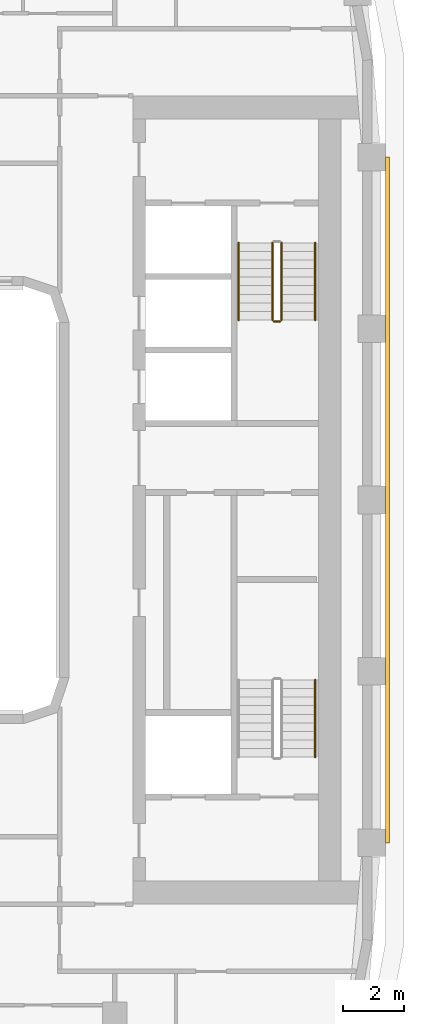
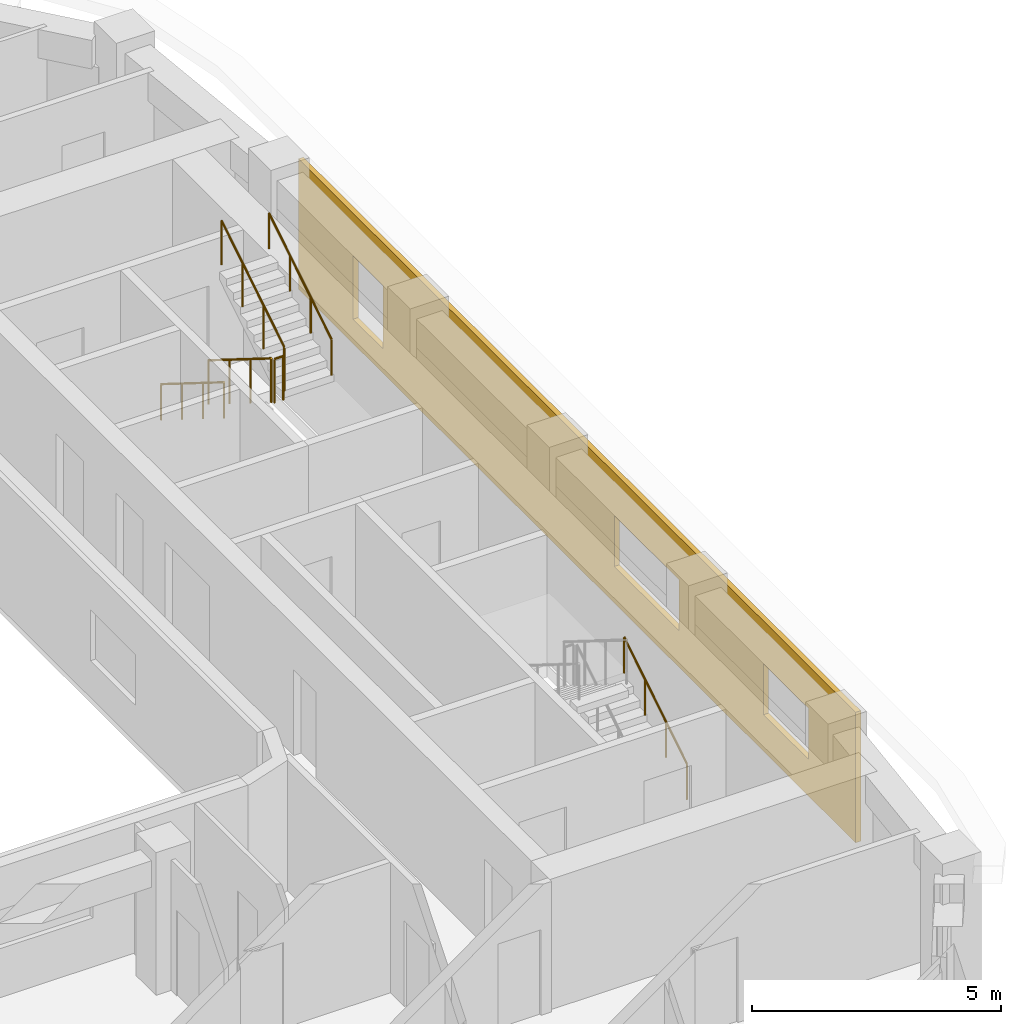
# One storey, part 18 of 21: 6 railings, 1 covering.
"""IFC4 building model written with IfcOpenShell, lengths in metres."""

from ifc_helpers import new_model, si_unit, direction, frame, origin, origin_2d, place, context, subcontext, project, spatial, polyline, circle, outline, extrude, material, layer, layer_set, type_object, element, save


model = new_model("IFC4")

# Units and contexts
model_context = context("Model", 3, precision=1e-05, world=origin(), true_north=direction((0.0, 1.0)))
body_context = subcontext(model_context, "Body", "Model", "MODEL_VIEW")
ifc_project = project(units=[si_unit("LENGTHUNIT", "METRE"), si_unit("AREAUNIT", "SQUARE_METRE"), si_unit("VOLUMEUNIT", "CUBIC_METRE"), si_unit("PLANEANGLEUNIT", "RADIAN"), si_unit("MASSUNIT", "GRAM", prefix="KILO")], contexts=[model_context])

# Site, building, storey
site_placement = place(None, origin())
site = spatial("IfcSite", under=ifc_project, at=site_placement, CompositionType="ELEMENT")
building_placement = place(site_placement, origin())
building = spatial("IfcBuilding", under=site, at=building_placement, Name="Kiln Ring Residences", CompositionType="ELEMENT")
storey_placement = place(building_placement, frame((0.0, 0.0, 199.39990234375)))
storey = spatial("IfcBuildingStorey", under=building, at=storey_placement, Name="L51", CompositionType="ELEMENT", Elevation=199.39990234375)

# Railings
ifc_material_1 = material(Name="Stainless steel", Category="steel")
railing_type_1 = type_object("IfcRailingType", Name="CORE-STAIR-GUARD", PredefinedType="GUARDRAIL", material=ifc_material_1)
railing_1_placement = place(storey_placement, frame((21.949951171875, 8.39990234375, 0.175048828125)))
element("IfcRailing", 1, at=railing_1_placement, inside=storey, type_object=railing_type_1, Name="L51 E-STN stair guard 1", PredefinedType="GUARDRAIL", context=body_context, shape_type="SweptSolid", body=[
    extrude(circle(Radius=0.02392578125, at=origin_2d()), frame((0.0, 0.0, 1.076171875), z_axis=(0.0, -0.848007534815, 0.529984170421), x_axis=(1.0, 0.0, 0.0)), (0.0, 0.0, 1.0), 2.9716796875),
    extrude(circle(Radius=0.02099609375, at=origin_2d()), origin(), (0.0, 0.0, 1.0), 1.052001953125),
    extrude(circle(Radius=0.02099609375, at=origin_2d()), frame((0.0, -0.840087890625, 0.52490234375)), (0.0, 0.0, 1.0), 1.052001953125),
    extrude(circle(Radius=0.02099609375, at=origin_2d()), frame((0.0, -1.679931640625, 1.050048828125)), (0.0, 0.0, 1.0), 1.052001953125),
    extrude(circle(Radius=0.02099609375, at=origin_2d()), frame((0.0, -2.52001953125, 1.574951171875)), (0.0, 0.0, 1.0), 1.052001953125),
])
railing_2_placement = place(storey_placement, frame((22.0, 5.830078125, 1.75)))
element("IfcRailing", 2, at=railing_2_placement, inside=storey, type_object=railing_type_1, Name="L51 E-STN stair guard 2", PredefinedType="GUARDRAIL", context=body_context, shape_type="SweptSolid", body=[
    extrude(circle(Radius=0.02392578125, at=origin_2d()), frame((0.0, 0.0, 1.076171875), z_axis=(1.0, 0.0, 0.0), x_axis=(0.0, 1.0, 0.0)), (0.0, 0.0, 1.0), 0.199951171875),
    extrude(circle(Radius=0.02099609375, at=origin_2d()), origin(), (0.0, 0.0, 1.0), 1.052001953125),
    extrude(circle(Radius=0.02099609375, at=origin_2d()), frame((0.199951171875, 0.0, 0.0)), (0.0, 0.0, 1.0), 1.052001953125),
])
railing_3_placement = place(storey_placement, frame((22.25, 5.8798828125, 1.925048828125)))
element("IfcRailing", 3, at=railing_3_placement, inside=storey, type_object=railing_type_1, Name="L51 E-STN stair guard 3", PredefinedType="GUARDRAIL", context=body_context, shape_type="SweptSolid", body=[
    extrude(circle(Radius=0.02392578125, at=origin_2d()), frame((0.0, 0.0, 1.076171875), z_axis=(0.0, 0.848007534815, 0.529984170421), x_axis=(-1.0, 0.0, 0.0)), (0.0, 0.0, 1.0), 2.9716796875),
    extrude(circle(Radius=0.02099609375, at=origin_2d()), origin(), (0.0, 0.0, 1.0), 1.052001953125),
    extrude(circle(Radius=0.02099609375, at=origin_2d()), frame((0.0, 0.840087890625, 0.52490234375)), (0.0, 0.0, 1.0), 1.052001953125),
    extrude(circle(Radius=0.02099609375, at=origin_2d()), frame((0.0, 1.679931640625, 1.050048828125)), (0.0, 0.0, 1.0), 1.052001953125),
    extrude(circle(Radius=0.02099609375, at=origin_2d()), frame((0.0, 2.52001953125, 1.574951171875)), (0.0, 0.0, 1.0), 1.052001953125),
])
ifc_material_2 = material(Name="Stainless steel", Category="steel")
railing_type_2 = type_object("IfcRailingType", Name="CORE-STAIR-HANDRAIL", PredefinedType="HANDRAIL", material=ifc_material_2)
railing_4_placement = place(storey_placement, frame((20.85009765625, 8.39990234375, 0.175048828125)))
element("IfcRailing", 4, at=railing_4_placement, inside=storey, type_object=railing_type_2, Name="L51 E-STN stair handrail 1", PredefinedType="HANDRAIL", context=body_context, shape_type="SweptSolid", body=[
    extrude(circle(Radius=0.02392578125, at=origin_2d()), frame((0.0, 0.0, 0.8759765625), z_axis=(0.0, -0.848007534815, 0.529984170421), x_axis=(1.0, 0.0, 0.0)), (0.0, 0.0, 1.0), 2.9716796875),
    extrude(circle(Radius=0.02099609375, at=origin_2d()), origin(), (0.0, 0.0, 1.0), 0.851806640625),
    extrude(circle(Radius=0.02099609375, at=origin_2d()), frame((0.0, -0.840087890625, 0.52490234375)), (0.0, 0.0, 1.0), 0.851806640625),
    extrude(circle(Radius=0.02099609375, at=origin_2d()), frame((0.0, -1.679931640625, 1.050048828125)), (0.0, 0.0, 1.0), 0.851806640625),
    extrude(circle(Radius=0.02099609375, at=origin_2d()), frame((0.0, -2.52001953125, 1.574951171875)), (0.0, 0.0, 1.0), 0.851806640625),
])
for number, where, name in (
    (5, (23.35009765625, 5.8798828125, 1.925048828125), "L51 E-STN stair handrail 2"),
    (6, (23.35009765625, -8.39990234375, 0.175048828125), "L51 E-STS stair handrail 1"),
):
    element("IfcRailing", number, at=place(storey_placement, frame(where)), inside=storey, type_object=railing_type_2, Name=name, PredefinedType="HANDRAIL", context=body_context, shape_type="SweptSolid", body=[
        extrude(circle(Radius=0.02392578125, at=origin_2d()), frame((0.0, 0.0, 0.8759765625), z_axis=(0.0, 0.848007534815, 0.529984170421), x_axis=(-1.0, 0.0, 0.0)), (0.0, 0.0, 1.0), 2.9716796875),
        extrude(circle(Radius=0.02099609375, at=origin_2d()), origin(), (0.0, 0.0, 1.0), 0.851806640625),
        extrude(circle(Radius=0.02099609375, at=origin_2d()), frame((0.0, 0.840087890625, 0.52490234375)), (0.0, 0.0, 1.0), 0.851806640625),
        extrude(circle(Radius=0.02099609375, at=origin_2d()), frame((0.0, 1.679931640625, 1.050048828125)), (0.0, 0.0, 1.0), 0.851806640625),
        extrude(circle(Radius=0.02099609375, at=origin_2d()), frame((0.0, 2.52001953125, 1.574951171875)), (0.0, 0.0, 1.0), 0.851806640625),
    ])

# Covering
ifc_material_3 = material(Name="Brick masonry, dark clay brick", Category="masonry")
ifc_layer = layer(ifc_material_3, 0.1201171875)
ifc_layer_set = layer_set([ifc_layer], Name="RAINSCREEN PANEL 120")
covering_type = type_object("IfcCoveringType", Name="RAINSCREEN PANEL 120", PredefinedType="CLADDING", material=ifc_layer_set)
covering_placement = place(storey_placement, frame((25.7099609375, -11.199951171875, 0.0), z_axis=(0.0, 0.0, 1.0), x_axis=(0.0, 1.0, 0.0)))
element("IfcCovering", 7, at=covering_placement, inside=storey, type_object=covering_type, Name="RAINSCREEN L51", PredefinedType="CLADDING", context=body_context, shape_type="SweptSolid", body=[
    extrude(outline(polyline([(0.0, 0.0), (22.39990234375, 0.0), (22.39990234375, 3.2001953125), (0.0, 3.2001953125), (0.0, 0.0)]), holes=[polyline([(20.199951171875, 2.150146484375), (19.0, 2.150146484375), (19.0, 0.60009765625), (20.199951171875, 0.60009765625), (20.199951171875, 2.150146484375)]), polyline([(3.699951171875, 0.900146484375), (3.699951171875, 2.150146484375), (1.89990234375, 2.150146484375), (1.89990234375, 0.900146484375), (3.699951171875, 0.900146484375)]), polyline([(9.699951171875, 0.900146484375), (9.699951171875, 2.150146484375), (7.10009765625, 2.150146484375), (7.10009765625, 0.900146484375), (9.699951171875, 0.900146484375)])]), frame((0.0, 0.06005859375, 0.0), z_axis=(0.0, -1.0, 0.0), x_axis=(1.0, 0.0, 0.0)), (0.0, 0.0, 1.0), 0.1201171875),
])

save(model, "model.ifc")
